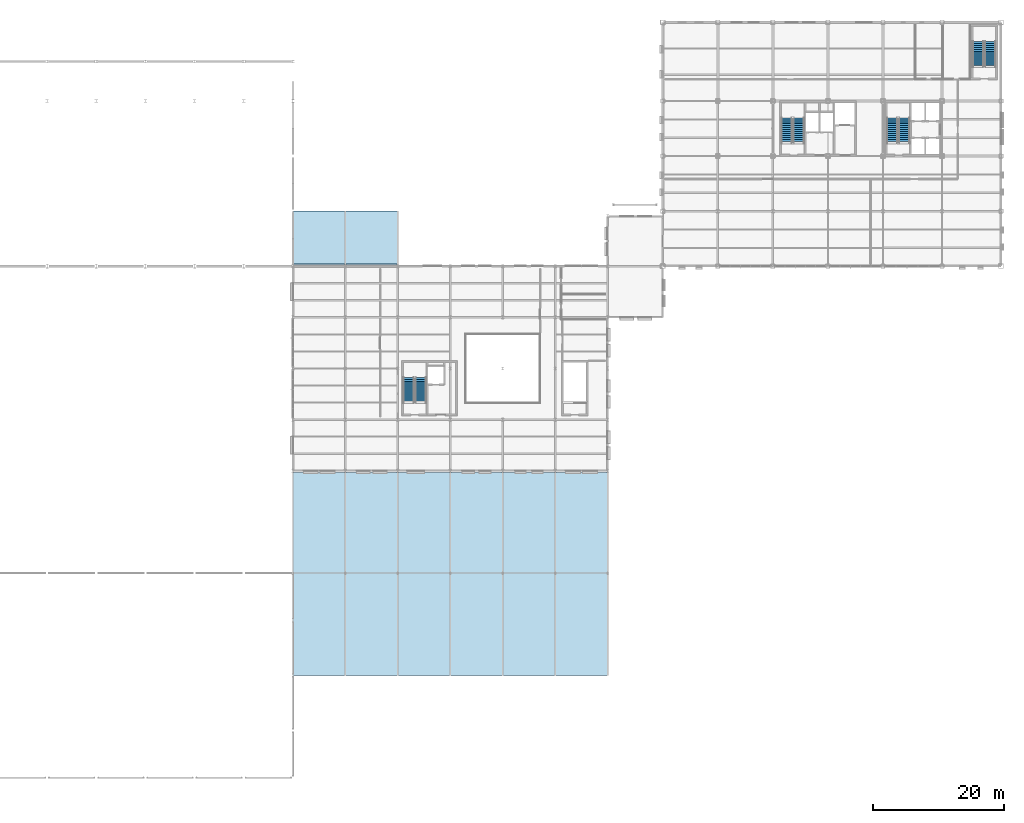
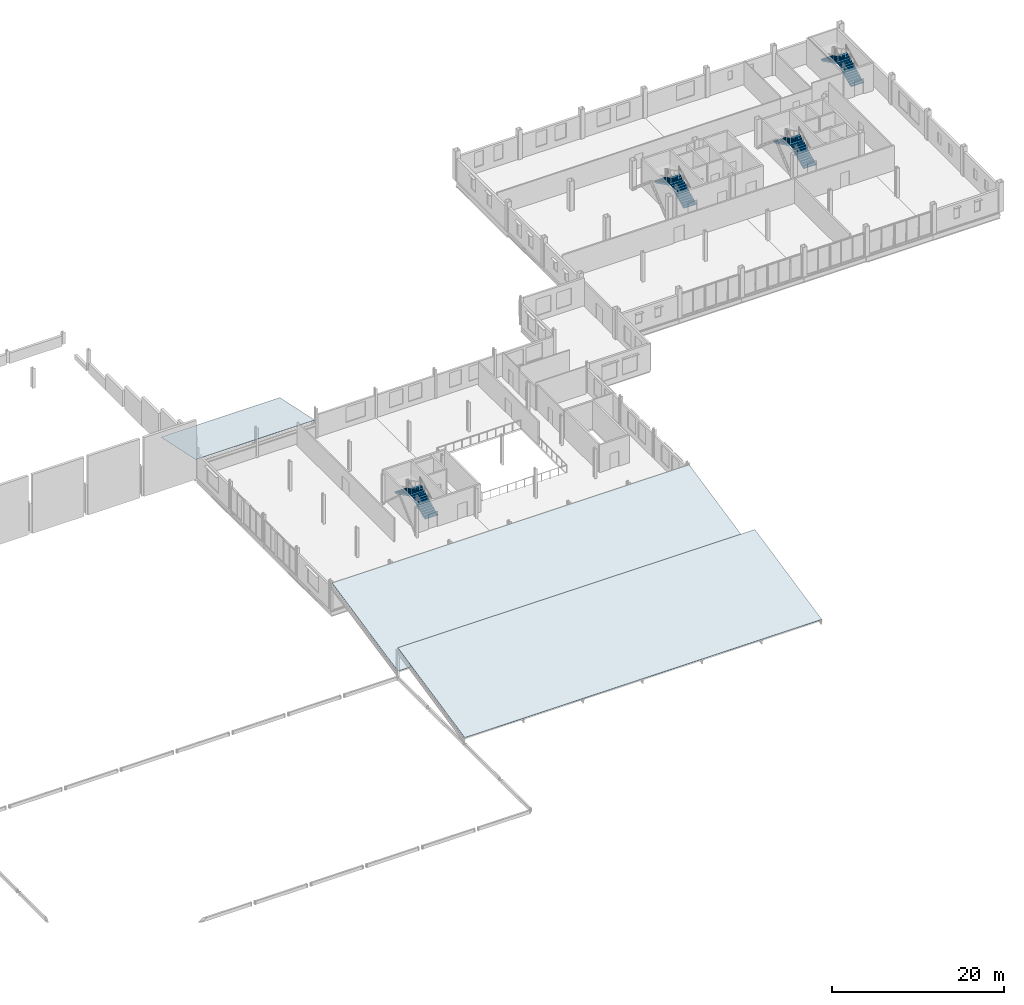
# One storey, part 41 of 45: 8 stair flights, 3 roofs, 4 elements without a shape of their own.
"""IFC4 building model written with IfcOpenShell, lengths in metres."""

from ifc_helpers import new_model, si_unit, direction, frame, origin, place, context, subcontext, project, spatial, polyline, outline, extrude, material, type_object, element, aggregate, save


model = new_model("IFC4")

# Units and contexts
model_context = context("Model", 3, precision=1e-05, world=origin(), true_north=direction((0.0, 1.0)))
body_context = subcontext(model_context, "Body", "Model", "MODEL_VIEW")
ifc_project = project(units=[si_unit("LENGTHUNIT", "METRE"), si_unit("AREAUNIT", "SQUARE_METRE"), si_unit("VOLUMEUNIT", "CUBIC_METRE"), si_unit("PLANEANGLEUNIT", "RADIAN"), si_unit("MASSUNIT", "GRAM", prefix="KILO")], contexts=[model_context])

# Site, building, storey
site_placement = place(None, origin())
site = spatial("IfcSite", under=ifc_project, at=site_placement, CompositionType="ELEMENT")
building_placement = place(site_placement, origin())
building = spatial("IfcBuilding", under=site, at=building_placement, Name="Yukiwa Park Conservatory and Herbarium", CompositionType="ELEMENT")
storey_placement = place(building_placement, frame((0.0, 0.0, 9.0)))
storey = spatial("IfcBuildingStorey", under=building, at=storey_placement, Name="L02", CompositionType="ELEMENT", Elevation=9.0)

# Stair, stair flights
ifc_material_1 = material(Name="Concrete C40", Category="concrete")
stair_type_1 = type_object("IfcStairType", Name="ST-DOGLEG-ST-T1", PredefinedType="HALF_TURN_STAIR", material=ifc_material_1)
stair_1_placement = place(storey_placement, origin())
stair_1 = element("IfcStair", 1, at=stair_1_placement, inside=storey, type_object=stair_type_1, Name="L02 Protected Smoke-Proof Stair ST-T1", PredefinedType="HALF_TURN_STAIR")
ifc_material_2 = material(Name="Concrete C40", Category="concrete")
stair_flight_type_1 = type_object("IfcStairFlightType", Name="STF-RC-1680", PredefinedType="STRAIGHT", material=ifc_material_2)
stair_flight_1_placement = place(storey_placement, frame((137.159912109375, 96.72998046875, 0.0), z_axis=(0.0, 0.0, 1.0), x_axis=(0.0, 1.0, 0.0)))
stair_flight_1 = element("IfcStairFlight", 2, at=stair_flight_1_placement, type_object=stair_flight_type_1, Name="ST-T1 flight 1", NumberOfRisers=14, NumberOfTreads=13, PredefinedType="STRAIGHT", RiserHeight=0.15, TreadLength=0.3, context=body_context, shape_type="SweptSolid", body=[
    extrude(outline(polyline([(0.0, 0.0), (0.0, 0.14990234375), (0.300048828125, 0.14990234375), (0.300048828125, 0.300048828125), (0.60009765625, 0.300048828125), (0.60009765625, 0.449951171875), (0.89990234375, 0.449951171875), (0.89990234375, 0.60009765625), (1.199951171875, 0.60009765625), (1.199951171875, 0.75), (1.5, 0.75), (1.5, 0.89990234375), (1.800048828125, 0.89990234375), (1.800048828125, 1.050048828125), (2.10009765625, 1.050048828125), (2.10009765625, 1.199951171875), (2.39990234375, 1.199951171875), (2.39990234375, 1.35009765625), (2.699951171875, 1.35009765625), (2.699951171875, 1.5), (3.0, 1.5), (3.0, 1.64990234375), (3.300048828125, 1.64990234375), (3.300048828125, 1.800048828125), (3.60009765625, 1.800048828125), (3.60009765625, 1.949951171875), (3.89990234375, 1.949951171875), (3.89990234375, 2.10009765625), (3.89990234375, 1.782470703125), (0.335205078125, 0.0), (0.0, 0.0)])), frame((0.0, 0.83984375, 0.0), z_axis=(0.0, -1.0, 0.0), x_axis=(1.0, 0.0, 0.0)), (0.0, 0.0, 1.0), 1.679931640625),
])
stair_flight_2_placement = place(storey_placement, frame((135.330078125, 100.6298828125, 2.10009765625), z_axis=(0.0, 0.0, 1.0), x_axis=(0.0, -1.0, 0.0)))
stair_flight_2 = element("IfcStairFlight", 3, at=stair_flight_2_placement, type_object=stair_flight_type_1, Name="ST-T1 flight 2", NumberOfRisers=14, NumberOfTreads=13, PredefinedType="STRAIGHT", RiserHeight=0.15, TreadLength=0.3, context=body_context, shape_type="SweptSolid", body=[
    extrude(outline(polyline([(0.0, 0.0), (0.0, 0.14990234375), (0.300048828125, 0.14990234375), (0.300048828125, 0.300048828125), (0.60009765625, 0.300048828125), (0.60009765625, 0.449951171875), (0.89990234375, 0.449951171875), (0.89990234375, 0.60009765625), (1.199951171875, 0.60009765625), (1.199951171875, 0.75), (1.5, 0.75), (1.5, 0.89990234375), (1.800048828125, 0.89990234375), (1.800048828125, 1.050048828125), (2.10009765625, 1.050048828125), (2.10009765625, 1.199951171875), (2.39990234375, 1.199951171875), (2.39990234375, 1.35009765625), (2.699951171875, 1.35009765625), (2.699951171875, 1.5), (3.0, 1.5), (3.0, 1.64990234375), (3.300048828125, 1.64990234375), (3.300048828125, 1.800048828125), (3.60009765625, 1.800048828125), (3.60009765625, 1.949951171875), (3.89990234375, 1.949951171875), (3.89990234375, 2.10009765625), (3.89990234375, 1.782470703125), (0.335205078125, 0.0), (0.0, 0.0)])), frame((0.0, 0.83984375, 0.0), z_axis=(0.0, -1.0, 0.0), x_axis=(1.0, 0.0, 0.0)), (0.0, 0.0, 1.0), 1.679931640625),
])
aggregate(stair_1, [stair_flight_1, stair_flight_2])

ifc_material_3 = material(Name="Concrete C40", Category="concrete")
stair_type_2 = type_object("IfcStairType", Name="ST-DOGLEG-ST-T2", PredefinedType="HALF_TURN_STAIR", material=ifc_material_3)
stair_2_placement = place(storey_placement, origin())
stair_2 = element("IfcStair", 4, at=stair_2_placement, inside=storey, type_object=stair_type_2, Name="L02 Protected Smoke-Proof Stair ST-T2", PredefinedType="HALF_TURN_STAIR")
stair_flight_3_placement = place(storey_placement, frame((153.27001953125, 96.72998046875, 0.0), z_axis=(0.0, 0.0, 1.0), x_axis=(0.0, 1.0, 0.0)))
stair_flight_3 = element("IfcStairFlight", 5, at=stair_flight_3_placement, type_object=stair_flight_type_1, Name="ST-T2 flight 1", NumberOfRisers=14, NumberOfTreads=13, PredefinedType="STRAIGHT", RiserHeight=0.15, TreadLength=0.3, context=body_context, shape_type="SweptSolid", body=[
    extrude(outline(polyline([(0.0, 0.0), (0.0, 0.14990234375), (0.300048828125, 0.14990234375), (0.300048828125, 0.300048828125), (0.60009765625, 0.300048828125), (0.60009765625, 0.449951171875), (0.89990234375, 0.449951171875), (0.89990234375, 0.60009765625), (1.199951171875, 0.60009765625), (1.199951171875, 0.75), (1.5, 0.75), (1.5, 0.89990234375), (1.800048828125, 0.89990234375), (1.800048828125, 1.050048828125), (2.10009765625, 1.050048828125), (2.10009765625, 1.199951171875), (2.39990234375, 1.199951171875), (2.39990234375, 1.35009765625), (2.699951171875, 1.35009765625), (2.699951171875, 1.5), (3.0, 1.5), (3.0, 1.64990234375), (3.300048828125, 1.64990234375), (3.300048828125, 1.800048828125), (3.60009765625, 1.800048828125), (3.60009765625, 1.949951171875), (3.89990234375, 1.949951171875), (3.89990234375, 2.10009765625), (3.89990234375, 1.782470703125), (0.335205078125, 0.0), (0.0, 0.0)])), frame((0.0, 0.83984375, 0.0), z_axis=(0.0, -1.0, 0.0), x_axis=(1.0, 0.0, 0.0)), (0.0, 0.0, 1.0), 1.679931640625),
])
stair_flight_4_placement = place(storey_placement, frame((151.43994140625, 100.6298828125, 2.10009765625), z_axis=(0.0, 0.0, 1.0), x_axis=(0.0, -1.0, 0.0)))
stair_flight_4 = element("IfcStairFlight", 6, at=stair_flight_4_placement, type_object=stair_flight_type_1, Name="ST-T2 flight 2", NumberOfRisers=14, NumberOfTreads=13, PredefinedType="STRAIGHT", RiserHeight=0.15, TreadLength=0.3, context=body_context, shape_type="SweptSolid", body=[
    extrude(outline(polyline([(0.0, 0.0), (0.0, 0.14990234375), (0.300048828125, 0.14990234375), (0.300048828125, 0.300048828125), (0.60009765625, 0.300048828125), (0.60009765625, 0.449951171875), (0.89990234375, 0.449951171875), (0.89990234375, 0.60009765625), (1.199951171875, 0.60009765625), (1.199951171875, 0.75), (1.5, 0.75), (1.5, 0.89990234375), (1.800048828125, 0.89990234375), (1.800048828125, 1.050048828125), (2.10009765625, 1.050048828125), (2.10009765625, 1.199951171875), (2.39990234375, 1.199951171875), (2.39990234375, 1.35009765625), (2.699951171875, 1.35009765625), (2.699951171875, 1.5), (3.0, 1.5), (3.0, 1.64990234375), (3.300048828125, 1.64990234375), (3.300048828125, 1.800048828125), (3.60009765625, 1.800048828125), (3.60009765625, 1.949951171875), (3.89990234375, 1.949951171875), (3.89990234375, 2.10009765625), (3.89990234375, 1.782470703125), (0.335205078125, 0.0), (0.0, 0.0)])), frame((0.0, 0.83984375, 0.0), z_axis=(0.0, -1.0, 0.0), x_axis=(1.0, 0.0, 0.0)), (0.0, 0.0, 1.0), 1.679931640625),
])
aggregate(stair_2, [stair_flight_3, stair_flight_4])

ifc_material_4 = material(Name="Concrete C40", Category="concrete")
stair_type_3 = type_object("IfcStairType", Name="ST-DOGLEG-ST-T3", PredefinedType="HALF_TURN_STAIR", material=ifc_material_4)
stair_3_placement = place(storey_placement, origin())
stair_3 = element("IfcStair", 7, at=stair_3_placement, inside=storey, type_object=stair_type_3, Name="L02 Protected Smoke-Proof Stair ST-T3", PredefinedType="HALF_TURN_STAIR")
stair_flight_5_placement = place(storey_placement, frame((166.360107421875, 108.3798828125, 0.0), z_axis=(0.0, 0.0, 1.0), x_axis=(0.0, 1.0, 0.0)))
stair_flight_5 = element("IfcStairFlight", 8, at=stair_flight_5_placement, type_object=stair_flight_type_1, Name="ST-T3 flight 1", NumberOfRisers=14, NumberOfTreads=13, PredefinedType="STRAIGHT", RiserHeight=0.15, TreadLength=0.3, context=body_context, shape_type="SweptSolid", body=[
    extrude(outline(polyline([(0.0, 0.0), (0.0, 0.14990234375), (0.300048828125, 0.14990234375), (0.300048828125, 0.300048828125), (0.60009765625, 0.300048828125), (0.60009765625, 0.449951171875), (0.89990234375, 0.449951171875), (0.89990234375, 0.60009765625), (1.199951171875, 0.60009765625), (1.199951171875, 0.75), (1.5, 0.75), (1.5, 0.89990234375), (1.800048828125, 0.89990234375), (1.800048828125, 1.050048828125), (2.10009765625, 1.050048828125), (2.10009765625, 1.199951171875), (2.39990234375, 1.199951171875), (2.39990234375, 1.35009765625), (2.699951171875, 1.35009765625), (2.699951171875, 1.5), (3.0, 1.5), (3.0, 1.64990234375), (3.300048828125, 1.64990234375), (3.300048828125, 1.800048828125), (3.60009765625, 1.800048828125), (3.60009765625, 1.949951171875), (3.89990234375, 1.949951171875), (3.89990234375, 2.10009765625), (3.89990234375, 1.782470703125), (0.335205078125, 0.0), (0.0, 0.0)])), frame((0.0, 0.83984375, 0.0), z_axis=(0.0, -1.0, 0.0), x_axis=(1.0, 0.0, 0.0)), (0.0, 0.0, 1.0), 1.679931640625),
])
stair_flight_6_placement = place(storey_placement, frame((164.530029296875, 112.280029296875, 2.10009765625), z_axis=(0.0, 0.0, 1.0), x_axis=(0.0, -1.0, 0.0)))
stair_flight_6 = element("IfcStairFlight", 9, at=stair_flight_6_placement, type_object=stair_flight_type_1, Name="ST-T3 flight 2", NumberOfRisers=14, NumberOfTreads=13, PredefinedType="STRAIGHT", RiserHeight=0.15, TreadLength=0.3, context=body_context, shape_type="SweptSolid", body=[
    extrude(outline(polyline([(0.0, 0.0), (0.0, 0.14990234375), (0.300048828125, 0.14990234375), (0.300048828125, 0.300048828125), (0.60009765625, 0.300048828125), (0.60009765625, 0.449951171875), (0.89990234375, 0.449951171875), (0.89990234375, 0.60009765625), (1.199951171875, 0.60009765625), (1.199951171875, 0.75), (1.5, 0.75), (1.5, 0.89990234375), (1.800048828125, 0.89990234375), (1.800048828125, 1.050048828125), (2.10009765625, 1.050048828125), (2.10009765625, 1.199951171875), (2.39990234375, 1.199951171875), (2.39990234375, 1.35009765625), (2.699951171875, 1.35009765625), (2.699951171875, 1.5), (3.0, 1.5), (3.0, 1.64990234375), (3.300048828125, 1.64990234375), (3.300048828125, 1.800048828125), (3.60009765625, 1.800048828125), (3.60009765625, 1.949951171875), (3.89990234375, 1.949951171875), (3.89990234375, 2.10009765625), (3.89990234375, 1.782470703125), (0.335205078125, 0.0), (0.0, 0.0)])), frame((0.0, 0.83984375, 0.0), z_axis=(0.0, -1.0, 0.0), x_axis=(1.0, 0.0, 0.0)), (0.0, 0.0, 1.0), 1.679931640625),
])
aggregate(stair_3, [stair_flight_5, stair_flight_6])

ifc_material_5 = material(Name="Concrete C40", Category="concrete")
stair_type_4 = type_object("IfcStairType", Name="ST-DOGLEG-ST-V1", PredefinedType="HALF_TURN_STAIR", material=ifc_material_5)
stair_4_placement = place(storey_placement, origin())
stair_4 = element("IfcStair", 10, at=stair_4_placement, inside=storey, type_object=stair_type_4, Name="L02 Visitor Core Exit Stair ST-V1", PredefinedType="HALF_TURN_STAIR")
ifc_material_6 = material(Name="Concrete C40", Category="concrete")
stair_flight_type_2 = type_object("IfcStairFlightType", Name="STF-RC-1700", PredefinedType="STRAIGHT", material=ifc_material_6)
stair_flight_7_placement = place(storey_placement, frame((79.5, 57.14990234375, 0.0), z_axis=(0.0, 0.0, 1.0), x_axis=(0.0, 1.0, 0.0)))
stair_flight_7 = element("IfcStairFlight", 11, at=stair_flight_7_placement, type_object=stair_flight_type_2, Name="ST-V1 flight 1", NumberOfRisers=14, NumberOfTreads=13, PredefinedType="STRAIGHT", RiserHeight=0.15, TreadLength=0.3, context=body_context, shape_type="SweptSolid", body=[
    extrude(outline(polyline([(0.0, 0.0), (0.0, 0.14990234375), (0.300048828125, 0.14990234375), (0.300048828125, 0.300048828125), (0.60009765625, 0.300048828125), (0.60009765625, 0.449951171875), (0.89990234375, 0.449951171875), (0.89990234375, 0.60009765625), (1.199951171875, 0.60009765625), (1.199951171875, 0.75), (1.5, 0.75), (1.5, 0.89990234375), (1.800048828125, 0.89990234375), (1.800048828125, 1.050048828125), (2.10009765625, 1.050048828125), (2.10009765625, 1.199951171875), (2.39990234375, 1.199951171875), (2.39990234375, 1.35009765625), (2.699951171875, 1.35009765625), (2.699951171875, 1.5), (3.0, 1.5), (3.0, 1.64990234375), (3.300048828125, 1.64990234375), (3.300048828125, 1.800048828125), (3.60009765625, 1.800048828125), (3.60009765625, 1.949951171875), (3.89990234375, 1.949951171875), (3.89990234375, 2.10009765625), (3.89990234375, 1.782470703125), (0.335205078125, 0.0), (0.0, 0.0)])), frame((0.0, 0.85009765625, 0.0), z_axis=(0.0, -1.0, 0.0), x_axis=(1.0, 0.0, 0.0)), (0.0, 0.0, 1.0), 1.699951171875),
])
stair_flight_8_placement = place(storey_placement, frame((77.64990234375, 61.050048828125, 2.10009765625), z_axis=(0.0, 0.0, 1.0), x_axis=(0.0, -1.0, 0.0)))
stair_flight_8 = element("IfcStairFlight", 12, at=stair_flight_8_placement, type_object=stair_flight_type_2, Name="ST-V1 flight 2", NumberOfRisers=14, NumberOfTreads=13, PredefinedType="STRAIGHT", RiserHeight=0.15, TreadLength=0.3, context=body_context, shape_type="SweptSolid", body=[
    extrude(outline(polyline([(0.0, 0.0), (0.0, 0.14990234375), (0.300048828125, 0.14990234375), (0.300048828125, 0.300048828125), (0.60009765625, 0.300048828125), (0.60009765625, 0.449951171875), (0.89990234375, 0.449951171875), (0.89990234375, 0.60009765625), (1.199951171875, 0.60009765625), (1.199951171875, 0.75), (1.5, 0.75), (1.5, 0.89990234375), (1.800048828125, 0.89990234375), (1.800048828125, 1.050048828125), (2.10009765625, 1.050048828125), (2.10009765625, 1.199951171875), (2.39990234375, 1.199951171875), (2.39990234375, 1.35009765625), (2.699951171875, 1.35009765625), (2.699951171875, 1.5), (3.0, 1.5), (3.0, 1.64990234375), (3.300048828125, 1.64990234375), (3.300048828125, 1.800048828125), (3.60009765625, 1.800048828125), (3.60009765625, 1.949951171875), (3.89990234375, 1.949951171875), (3.89990234375, 2.10009765625), (3.89990234375, 1.782470703125), (0.335205078125, 0.0), (0.0, 0.0)])), frame((0.0, 0.85009765625, 0.0), z_axis=(0.0, -1.0, 0.0), x_axis=(1.0, 0.0, 0.0)), (0.0, 0.0, 1.0), 1.699951171875),
])
aggregate(stair_4, [stair_flight_7, stair_flight_8])

# Roofs
ifc_material_7 = material(Name="Anodised Aluminium", Category="aluminium")
roof_type = type_object("IfcRoofType", Name="RF-MONO-PITCH-SNOW", PredefinedType="SHED_ROOF", material=ifc_material_7)
roof_1_placement = place(storey_placement, frame((60.0, 15.60009765625, 0.697998046875), z_axis=(0.0, -0.207915694847, 0.978146749643), x_axis=(1.0, 0.0, 0.0)))
element("IfcRoof", 13, at=roof_1_placement, inside=storey, type_object=roof_type, Name="Botanical Concourse south snow-shedding mono-pitch roof", PredefinedType="SHED_ROOF", context=body_context, shape_type="SweptSolid", body=[
    extrude(outline(polyline([(0.0, 0.0), (48.0, 0.0), (48.0, 15.94837739973684), (0.0, 15.94837739973684), (0.0, 0.0)])), origin(), (0.0, 0.0, -1.0), 0.02001953125),
])
roof_2_placement = place(storey_placement, frame((60.0, 31.199951171875, 0.697998046875), z_axis=(0.0, -0.207916063876, 0.978146671201), x_axis=(1.0, 0.0, 0.0)))
element("IfcRoof", 14, at=roof_2_placement, inside=storey, type_object=roof_type, Name="Botanical Concourse north snow-shedding mono-pitch roof", PredefinedType="SHED_ROOF", context=body_context, shape_type="SweptSolid", body=[
    extrude(outline(polyline([(0.0, 0.0), (48.0, 0.0), (48.0, 15.641875884865852), (0.0, 15.641875884865852), (0.0, 0.0)])), origin(), (0.0, 0.0, -1.0), 0.02001953125),
])
roof_3_placement = place(storey_placement, frame((60.0, 78.300048828125, 2.2197265625), z_axis=(0.0, 0.207911999796, 0.978147535058), x_axis=(1.0, 0.0, 0.0)))
element("IfcRoof", 15, at=roof_3_placement, inside=storey, type_object=roof_type, Name="Auditorium Foyer Link snow-shedding mono-pitch roof", PredefinedType="SHED_ROOF", context=body_context, shape_type="SweptSolid", body=[
    extrude(outline(polyline([(0.0, 0.0), (16.0, 0.0), (16.0, 8.280809617479003), (0.0, 8.280809617479003), (0.0, 0.0)])), origin(), (0.0, 0.0, -1.0), 0.02001953125),
])

save(model, "model.ifc")
